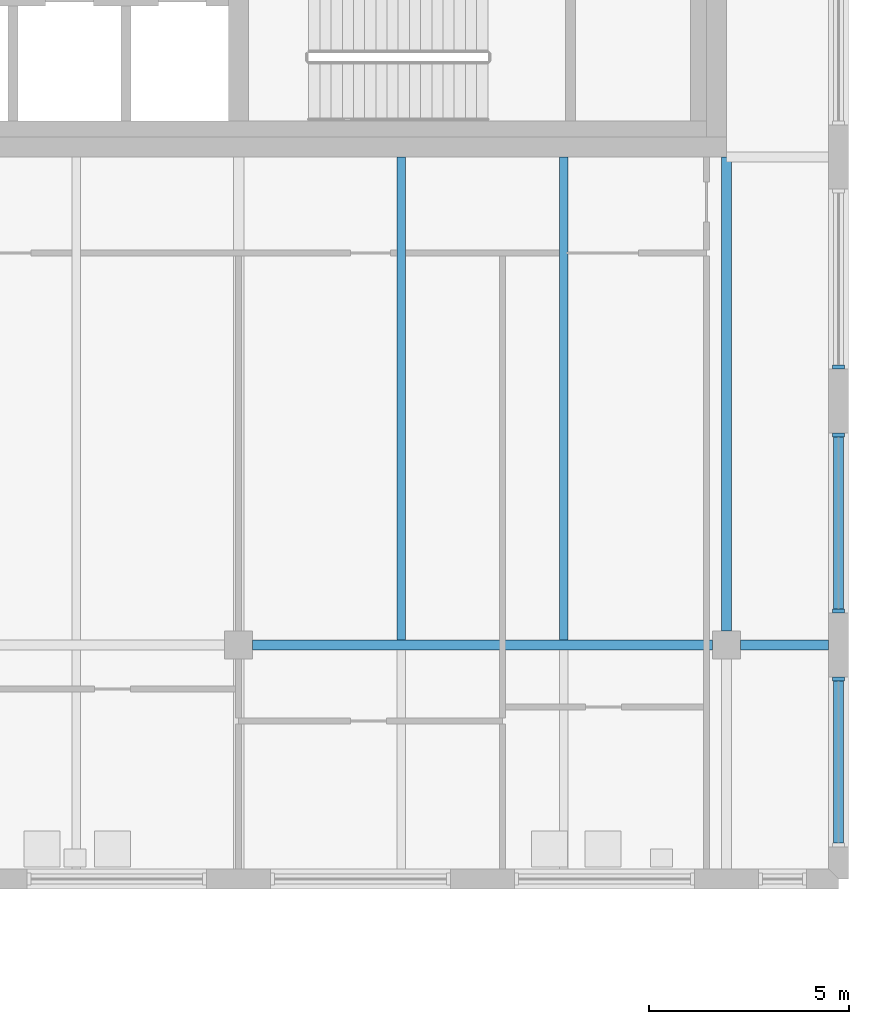
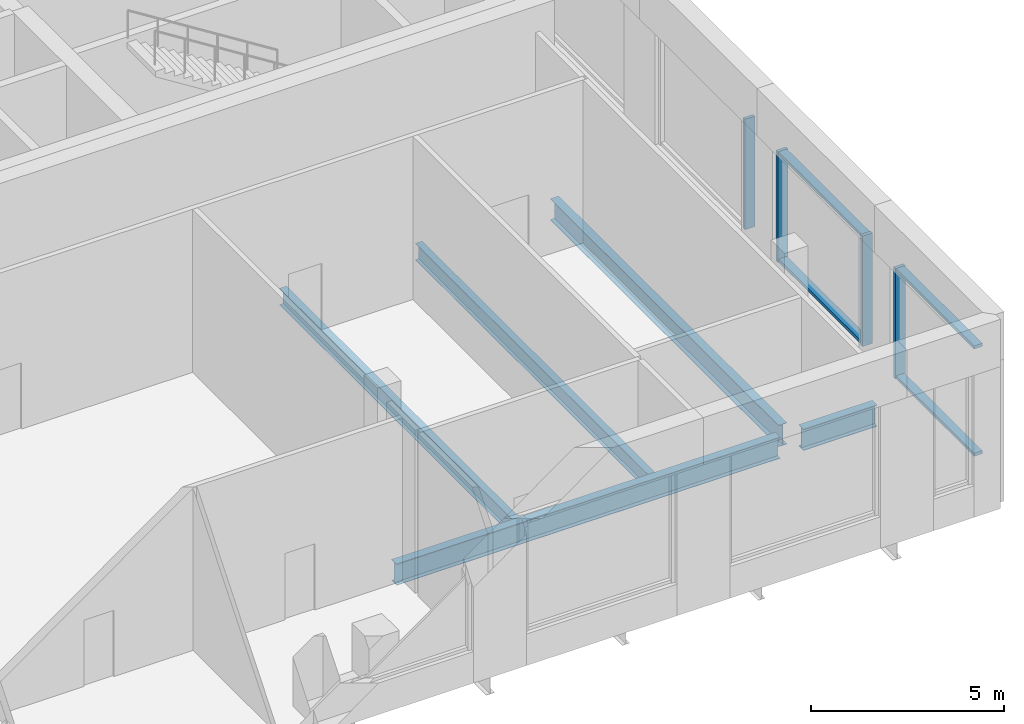
# One storey, part 9 of 36: 8 members, 5 beams, 3 elements without a shape of their own.
"""IFC4 building model written with IfcOpenShell, lengths in metres."""

from ifc_helpers import new_model, si_unit, direction, frame, origin, origin_2d, place, context, subcontext, project, spatial, rectangle, i_section, extrude, material, material_profile, profile_set, type_object, element, aggregate, save


model = new_model("IFC4")

# Units and contexts
model_context = context("Model", 3, precision=1e-05, world=origin(), true_north=direction((0.0, 1.0)))
body_context = subcontext(model_context, "Body", "Model", "MODEL_VIEW")
ifc_project = project(units=[si_unit("LENGTHUNIT", "METRE"), si_unit("AREAUNIT", "SQUARE_METRE"), si_unit("VOLUMEUNIT", "CUBIC_METRE"), si_unit("PLANEANGLEUNIT", "RADIAN"), si_unit("MASSUNIT", "GRAM", prefix="KILO")], contexts=[model_context])

# Site, building, storey
site_placement = place(None, origin())
site = spatial("IfcSite", under=ifc_project, at=site_placement, CompositionType="ELEMENT")
building_placement = place(site_placement, origin())
building = spatial("IfcBuilding", under=site, at=building_placement, Name="Tessera Gate Towers", CompositionType="ELEMENT")
storey_placement = place(building_placement, frame((0.0, 0.0, 106.60009765625)))
storey = spatial("IfcBuildingStorey", under=building, at=storey_placement, Name="L26", CompositionType="ELEMENT", Elevation=106.60009765625)

# Beams
ifc_material_1 = material(Name="Steel 350W", Category="steel")
ifc_material_profile_1 = material_profile(ifc_material_1, i_section(OverallWidth=0.2529296875, OverallDepth=0.677978515625, WebThickness=0.01171875, FlangeThickness=0.016357421875, at=origin_2d()), Name="W690x125")
ifc_profile_set_1 = profile_set([ifc_material_profile_1], Name="Steel 350W")
beam_type_1 = type_object("IfcBeamType", Name="FLOOR GIRDER W690x125", PredefinedType="BEAM", material=ifc_profile_set_1)
beam_1_placement = place(storey_placement, frame((110.14990234375, 24.39990234375, -0.589111328125), z_axis=(1.0, 0.0, 0.0), x_axis=(0.0, 1.0, 0.0)))
element("IfcBeam", 1, at=beam_1_placement, inside=storey, type_object=beam_type_1, Name="T2-GD-L26-3480", PredefinedType="BEAM", context=body_context, shape_type="SweptSolid", body=[
    extrude(i_section(OverallWidth=0.2529296875, OverallDepth=0.677978515625, WebThickness=0.01171875, FlangeThickness=0.016357421875, at=origin_2d()), origin(), (0.0, 0.0, 1.0), 11.5),
])
beam_2_placement = place(storey_placement, frame((122.35009765625, 24.39990234375, -0.589111328125), z_axis=(1.0, 0.0, 0.0), x_axis=(0.0, 1.0, 0.0)))
element("IfcBeam", 2, at=beam_2_placement, inside=storey, type_object=beam_type_1, Name="T2-GD-L26-3481", PredefinedType="BEAM", context=body_context, shape_type="SweptSolid", body=[
    extrude(i_section(OverallWidth=0.2529296875, OverallDepth=0.677978515625, WebThickness=0.01171875, FlangeThickness=0.016357421875, at=origin_2d()), origin(), (0.0, 0.0, 1.0), 2.200927734375),
])
beam_3_placement = place(storey_placement, frame((122.0, 24.75, -0.589111328125), z_axis=(0.0, 1.0, 0.0), x_axis=(-1.0, 0.0, 0.0)))
element("IfcBeam", 3, at=beam_3_placement, inside=storey, type_object=beam_type_1, Name="T2-GD-L26-3491", PredefinedType="BEAM", context=body_context, shape_type="SweptSolid", body=[
    extrude(i_section(OverallWidth=0.2529296875, OverallDepth=0.677978515625, WebThickness=0.01171875, FlangeThickness=0.016357421875, at=origin_2d()), origin(), (0.0, 0.0, 1.0), 11.85009765625),
])
ifc_material_2 = material(Name="Steel 350W", Category="steel")
ifc_material_profile_2 = material_profile(ifc_material_2, i_section(OverallWidth=0.208984375, OverallDepth=0.528076171875, WebThickness=0.009521484375, FlangeThickness=0.01318359375, at=origin_2d()), Name="W530x82")
ifc_profile_set_2 = profile_set([ifc_material_profile_2], Name="Steel 350W")
beam_type_2 = type_object("IfcBeamType", Name="FLOOR SECONDARY W530x82", PredefinedType="BEAM", material=ifc_profile_set_2)
for number, where, z_axis, x_axis, name in (
    (4, (113.86669921875, 24.526611328125, -0.51416015625), (0.0, 1.0, 0.0), (-1.0, 0.0, 0.0), "T2-BM-L26-3511"),
    (5, (117.933349609375, 24.526611328125, -0.51416015625), (0.0, 1.0, 0.0), (-1.0, 0.0, 0.0), "T2-BM-L26-3514"),
):
    element("IfcBeam", number, at=place(storey_placement, frame(where, z_axis=z_axis, x_axis=x_axis)), inside=storey, type_object=beam_type_2, Name=name, PredefinedType="BEAM", context=body_context, shape_type="SweptSolid", body=[
        extrude(i_section(OverallWidth=0.208984375, OverallDepth=0.528076171875, WebThickness=0.009521484375, FlangeThickness=0.01318359375, at=origin_2d()), origin(), (0.0, 0.0, 1.0), 12.073486328125),
    ])

# Curtain wall, member
ifc_material_3 = material(Name="Aluminium frame", Category="aluminium")
curtain_wall_type = type_object("IfcCurtainWallType", Name="CW-S3 amenity floor glazing", PredefinedType="NOTDEFINED", material=ifc_material_3)
curtain_wall_1_placement = place(storey_placement, origin())
curtain_wall_1 = element("IfcCurtainWall", 6, at=curtain_wall_1_placement, inside=storey, type_object=curtain_wall_type, Name="Curtain wall amenity floor glazing 0125", PredefinedType="NOTDEFINED")
ifc_material_4 = material(Name="Aluminium frame", Category="aluminium")
ifc_material_profile_3 = material_profile(ifc_material_4, rectangle(XDim=0.10009765625, YDim=0.300048828125, at=origin_2d()), Name="AL 100x300")
ifc_profile_set_3 = profile_set([ifc_material_profile_3], Name="Aluminium frame")
member_type_1 = type_object("IfcMemberType", Name="MU-S3 mullion 100x300", PredefinedType="MULLION", material=ifc_profile_set_3)
member_1_placement = place(storey_placement, frame((124.800048828125, 23.550048828125, 1.0), z_axis=(0.0, 0.0, 1.0), x_axis=(0.0, 1.0, 0.0)))
member_1 = element("IfcMember", 7, at=member_1_placement, type_object=member_type_1, Name="T2-CW3-0125 mullion 2", PredefinedType="MULLION", context=body_context, shape_type="SweptSolid", body=[
    extrude(rectangle(XDim=0.10009765625, YDim=0.300048828125, at=origin_2d()), origin(), (0.0, 0.0, 1.0), 3.5),
])

# Curtain wall, members
curtain_wall_2_placement = place(storey_placement, origin())
curtain_wall_2 = element("IfcCurtainWall", 8, at=curtain_wall_2_placement, inside=storey, type_object=curtain_wall_type, Name="Curtain wall amenity floor glazing 0126", PredefinedType="NOTDEFINED")
member_2_placement = place(storey_placement, frame((124.800048828125, 25.25, 1.0), z_axis=(0.0, 0.0, 1.0), x_axis=(0.0, 1.0, 0.0)))
member_2 = element("IfcMember", 9, at=member_2_placement, type_object=member_type_1, Name="T2-CW3-0126 mullion 1", PredefinedType="MULLION", context=body_context, shape_type="SweptSolid", body=[
    extrude(rectangle(XDim=0.10009765625, YDim=0.300048828125, at=origin_2d()), origin(), (0.0, 0.0, 1.0), 3.5),
])
member_3_placement = place(storey_placement, frame((124.800048828125, 29.64990234375, 1.0), z_axis=(0.0, 0.0, 1.0), x_axis=(0.0, 1.0, 0.0)))
member_3 = element("IfcMember", 10, at=member_3_placement, type_object=member_type_1, Name="T2-CW3-0126 mullion 2", PredefinedType="MULLION", context=body_context, shape_type="SweptSolid", body=[
    extrude(rectangle(XDim=0.10009765625, YDim=0.300048828125, at=origin_2d()), origin(), (0.0, 0.0, 1.0), 3.5),
])

# Curtain wall, member
curtain_wall_3_placement = place(storey_placement, origin())
curtain_wall_3 = element("IfcCurtainWall", 11, at=curtain_wall_3_placement, inside=storey, type_object=curtain_wall_type, Name="Curtain wall amenity floor glazing 0127", PredefinedType="NOTDEFINED")
member_4_placement = place(storey_placement, frame((124.800048828125, 31.35009765625, 1.0), z_axis=(0.0, 0.0, 1.0), x_axis=(0.0, 1.0, 0.0)))
member_4 = element("IfcMember", 12, at=member_4_placement, type_object=member_type_1, Name="T2-CW3-0127 mullion 1", PredefinedType="MULLION", context=body_context, shape_type="SweptSolid", body=[
    extrude(rectangle(XDim=0.10009765625, YDim=0.300048828125, at=origin_2d()), origin(), (0.0, 0.0, 1.0), 3.5),
])
aggregate(curtain_wall_3, [member_4])

# Member
ifc_material_5 = material(Name="Aluminium frame", Category="aluminium")
ifc_material_profile_4 = material_profile(ifc_material_5, rectangle(XDim=0.25, YDim=0.10009765625, at=origin_2d()), Name="AL 100x250")
ifc_profile_set_4 = profile_set([ifc_material_profile_4], Name="Aluminium frame")
member_type_2 = type_object("IfcMemberType", Name="TR-S3 transom 100x250", PredefinedType="USERDEFINED", material=ifc_profile_set_4)
member_5_placement = place(storey_placement, frame((124.800048828125, 19.449951171875, 1.0498046875), z_axis=(0.0, 1.0, 0.0), x_axis=(-1.0, 0.0, 0.0)))
member_5 = element("IfcMember", 13, at=member_5_placement, type_object=member_type_2, Name="T2-CW3-0125 transom 1.1", ObjectType="TRANSOM", PredefinedType="USERDEFINED", context=body_context, shape_type="SweptSolid", body=[
    extrude(rectangle(XDim=0.25, YDim=0.10009765625, at=origin_2d()), origin(), (0.0, 0.0, 1.0), 4.050048828125),
])

member_6_placement = place(storey_placement, frame((124.800048828125, 19.449951171875, 4.449951171875), z_axis=(0.0, 1.0, 0.0), x_axis=(-1.0, 0.0, 0.0)))
member_6 = element("IfcMember", 14, at=member_6_placement, type_object=member_type_2, Name="T2-CW3-0125 transom 1.2", ObjectType="TRANSOM", PredefinedType="USERDEFINED", context=body_context, shape_type="SweptSolid", body=[
    extrude(rectangle(XDim=0.25, YDim=0.10009765625, at=origin_2d()), origin(), (0.0, 0.0, 1.0), 4.050048828125),
])

aggregate(curtain_wall_1, [member_1, member_5, member_6])

member_7_placement = place(storey_placement, frame((124.800048828125, 25.300048828125, 1.0498046875), z_axis=(0.0, 1.0, 0.0), x_axis=(-1.0, 0.0, 0.0)))
member_7 = element("IfcMember", 15, at=member_7_placement, type_object=member_type_2, Name="T2-CW3-0126 transom 1.1", ObjectType="TRANSOM", PredefinedType="USERDEFINED", context=body_context, shape_type="SweptSolid", body=[
    extrude(rectangle(XDim=0.25, YDim=0.10009765625, at=origin_2d()), origin(), (0.0, 0.0, 1.0), 4.300048828125),
])

member_8_placement = place(storey_placement, frame((124.800048828125, 25.300048828125, 4.449951171875), z_axis=(0.0, 1.0, 0.0), x_axis=(-1.0, 0.0, 0.0)))
member_8 = element("IfcMember", 16, at=member_8_placement, type_object=member_type_2, Name="T2-CW3-0126 transom 1.2", ObjectType="TRANSOM", PredefinedType="USERDEFINED", context=body_context, shape_type="SweptSolid", body=[
    extrude(rectangle(XDim=0.25, YDim=0.10009765625, at=origin_2d()), origin(), (0.0, 0.0, 1.0), 4.300048828125),
])

aggregate(curtain_wall_2, [member_2, member_3, member_7, member_8])

save(model, "model.ifc")
